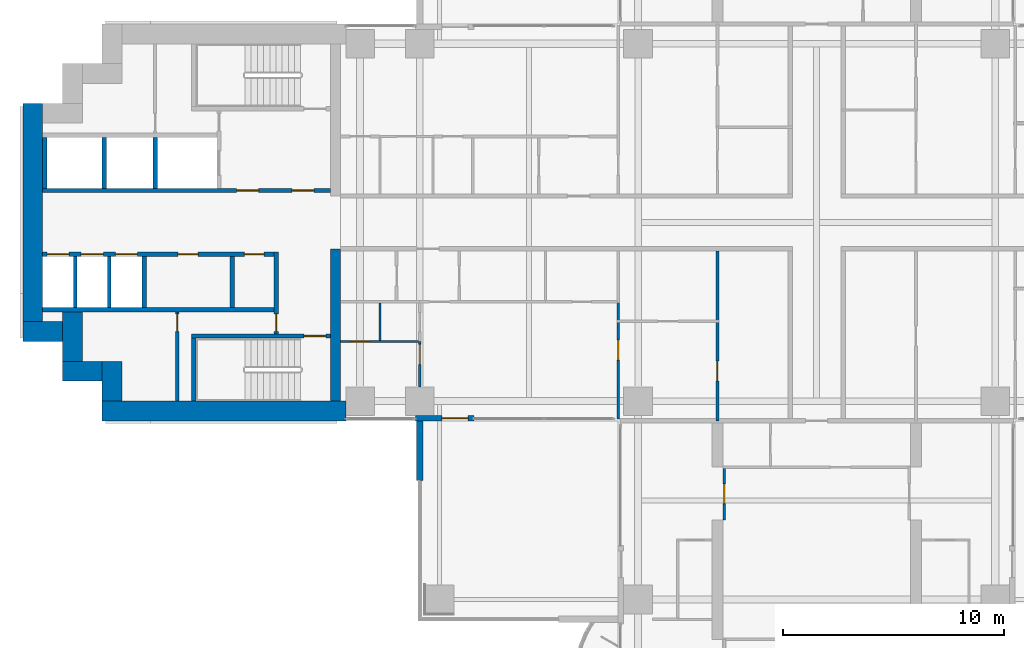
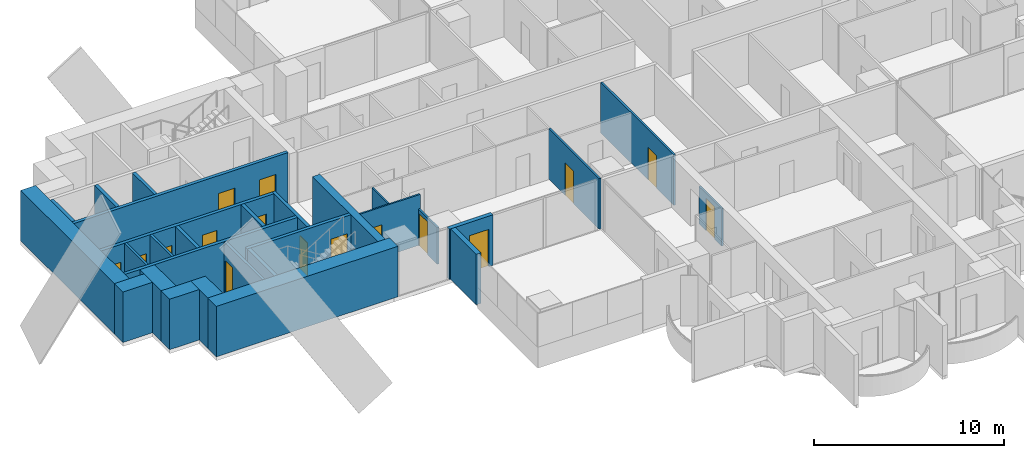
# One storey, part 11 of 23: 29 walls, 16 doors, 16 openings.
"""IFC4 building model written with IfcOpenShell, lengths in metres."""

from ifc_helpers import new_model, si_unit, direction, frame, frame_2d, origin, place, context, subcontext, project, spatial, rectangle, extrude, material, layer, layer_set, type_object, element, fill, save


model = new_model("IFC4")

# Units and contexts
model_context = context("Model", 3, precision=1e-05, world=origin(), true_north=direction((0.0, 1.0)))
body_context = subcontext(model_context, "Body", "Model", "MODEL_VIEW")
ifc_project = project(units=[si_unit("LENGTHUNIT", "METRE"), si_unit("AREAUNIT", "SQUARE_METRE"), si_unit("VOLUMEUNIT", "CUBIC_METRE"), si_unit("PLANEANGLEUNIT", "RADIAN"), si_unit("MASSUNIT", "GRAM", prefix="KILO")], contexts=[model_context])

# Site, building, storey
site_placement = place(None, origin())
site = spatial("IfcSite", under=ifc_project, at=site_placement, CompositionType="ELEMENT")
building_placement = place(site_placement, origin())
building = spatial("IfcBuilding", under=site, at=building_placement, Name="Perihelion Cross Residences", CompositionType="ELEMENT")
storey_placement = place(building_placement, frame((0.0, 0.0, 61.0)))
storey = spatial("IfcBuildingStorey", under=building, at=storey_placement, Name="L12", CompositionType="ELEMENT", Elevation=61.0)

# Wall, opening, door
ifc_material_1 = material(Name="Concrete C30/37, bronze-clad", Category="concrete")
ifc_layer_1 = layer(ifc_material_1, 0.25)
ifc_layer_set_1 = layer_set([ifc_layer_1], Name="Bronze-clad pier wall 250")
wall_type_1 = type_object("IfcWallType", Name="Bronze-clad pier wall 250", PredefinedType="SOLIDWALL", material=ifc_layer_set_1)
wall_1_placement = place(storey_placement, frame((-18.199951171875, -8.875, 0.0), z_axis=(0.0, 0.0, 1.0), x_axis=(1.0, 0.0, 0.0)))
wall_1 = element("IfcWall", 1, at=wall_1_placement, inside=storey, type_object=wall_type_1, Name="Wall FW1 L12 west side south bay 2 pier", PredefinedType="SOLIDWALL", context=body_context, shape_type="SweptSolid", body=[
    extrude(rectangle(XDim=2.64990234375, YDim=0.25, at=frame_2d((1.324951171875, 0.0))), origin(), (0.0, 0.0, 1.0), 3.25),
])
opening_1_placement = place(wall_1_placement, frame((1.199951171875, 0.0, 0.0)))
opening_1 = element("IfcOpeningElement", 2, at=opening_1_placement, cuts=wall_1, Name="Opening L12.E09", PredefinedType="OPENING", context=body_context, shape_type="SweptSolid", body=[
    extrude(rectangle(XDim=1.199951171875, YDim=2.39990234375, at=frame_2d((0.60009765625, 1.199951171875))), frame((0.0, 0.135009765625, 0.0), z_axis=(0.0, -1.0, 0.0), x_axis=(1.0, 0.0, 0.0)), (0.0, 0.0, 1.0), 0.27001953125),
])
ifc_material_2 = material(Name="Bronze anodised aluminium, glazed", Category="aluminium")
door_type_1 = type_object("IfcDoorType", Name="Balcony door 1200 x 2400", OperationType="NOTDEFINED", PredefinedType="DOOR", material=ifc_material_2)
door_1_placement = place(opening_1_placement, origin())
door_1 = element("IfcDoor", 3, at=door_1_placement, inside=storey, type_object=door_type_1, Name="Door L12.E09 west side south bay 2", OperationType="SINGLE_SWING_RIGHT", OverallHeight=2.39990234375, OverallWidth=1.199951171875, PredefinedType="DOOR", context=body_context, shape_type="SweptSolid", body=[
    extrude(rectangle(XDim=1.199951171875, YDim=2.39990234375, at=frame_2d((0.60009765625, 1.199951171875))), frame((0.0, 0.02490234375, 0.0), z_axis=(0.0, -1.0, 0.0), x_axis=(1.0, 0.0, 0.0)), (0.0, 0.0, 1.0), 0.050048828125),
])
fill(opening_1, door_1)

# Walls
ifc_material_3 = material(Name="Concrete C60/75", Category="concrete")
ifc_layer_2 = layer(ifc_material_3, 0.449951171875)
ifc_layer_set_2 = layer_set([ifc_layer_2], Name="Core wall, inner 450")
wall_type_2 = type_object("IfcWallType", Name="Core wall, inner 450", PredefinedType="SHEAR", material=ifc_layer_set_2)
wall_2_placement = place(storey_placement, frame((-21.824951171875, -8.10009765625, 0.0), z_axis=(0.0, 0.0, 1.0), x_axis=(0.0, 1.0, 0.0)))
element("IfcWall", 4, at=wall_2_placement, inside=storey, type_object=wall_type_2, Name="West core core wall, inner", PredefinedType="SHEAR", context=body_context, shape_type="SweptSolid", body=[
    extrude(rectangle(XDim=6.900146484375, YDim=0.449951171875, at=frame_2d((3.4501953125, 0.0))), origin(), (0.0, 0.0, 1.0), 3.25),
])
ifc_material_4 = material(Name="Concrete C60/75", Category="concrete")
ifc_layer_3 = layer(ifc_material_4, 0.89990234375)
ifc_layer_set_3 = layer_set([ifc_layer_3], Name="Core wall, outer 900")
wall_type_3 = type_object("IfcWallType", Name="Core wall, outer 900", PredefinedType="SHEAR", material=ifc_layer_set_3)
wall_3_placement = place(storey_placement, frame((-32.39990234375, -8.550048828125, 0.0), z_axis=(0.0, 0.0, 1.0), x_axis=(1.0, 0.0, 0.0)))
element("IfcWall", 5, at=wall_3_placement, inside=storey, type_object=wall_type_3, Name="West core core wall, outer", PredefinedType="SHEAR", context=body_context, shape_type="SweptSolid", body=[
    extrude(rectangle(XDim=11.0498046875, YDim=0.89990234375, at=frame_2d((5.52490234375, 0.0))), origin(), (0.0, 0.0, 1.0), 3.25),
])
for number, where, z_axis, x_axis, name in (
    (6, (-31.949951171875, -8.10009765625, 0.0), (0.0, 0.0, 1.0), (0.0, 1.0, 0.0), "West core core wall, outer"),
    (7, (-34.199951171875, -6.75, 0.0), (0.0, 0.0, 1.0), (1.0, 0.0, 0.0), "West core core wall, outer"),
):
    element("IfcWall", number, at=place(storey_placement, frame(where, z_axis=z_axis, x_axis=x_axis)), inside=storey, type_object=wall_type_3, Name=name, PredefinedType="SHEAR", context=body_context, shape_type="SweptSolid", body=[
        extrude(rectangle(XDim=1.800048828125, YDim=0.89990234375, at=frame_2d((0.89990234375, 0.0))), origin(), (0.0, 0.0, 1.0), 3.25),
    ])
wall_4_placement = place(storey_placement, frame((-33.75, -6.300048828125, 0.0), z_axis=(0.0, 0.0, 1.0), x_axis=(0.0, 1.0, 0.0)))
element("IfcWall", 8, at=wall_4_placement, inside=storey, type_object=wall_type_3, Name="West core core wall, outer", PredefinedType="SHEAR", context=body_context, shape_type="SweptSolid", body=[
    extrude(rectangle(XDim=2.25, YDim=0.89990234375, at=frame_2d((1.125, 0.0))), origin(), (0.0, 0.0, 1.0), 3.25),
])
wall_5_placement = place(storey_placement, frame((-36.0, -4.949951171875, 0.0), z_axis=(0.0, 0.0, 1.0), x_axis=(1.0, 0.0, 0.0)))
element("IfcWall", 9, at=wall_5_placement, inside=storey, type_object=wall_type_3, Name="West core core wall, outer", PredefinedType="SHEAR", context=body_context, shape_type="SweptSolid", body=[
    extrude(rectangle(XDim=1.800048828125, YDim=0.89990234375, at=frame_2d((0.89990234375, 0.0))), origin(), (0.0, 0.0, 1.0), 3.25),
])
wall_6_placement = place(storey_placement, frame((-35.550048828125, -4.5, 0.0), z_axis=(0.0, 0.0, 1.0), x_axis=(0.0, 1.0, 0.0)))
element("IfcWall", 10, at=wall_6_placement, inside=storey, type_object=wall_type_3, Name="West core core wall, outer", PredefinedType="SHEAR", context=body_context, shape_type="SweptSolid", body=[
    extrude(rectangle(XDim=9.89990234375, YDim=0.89990234375, at=frame_2d((4.949951171875, 0.0))), origin(), (0.0, 0.0, 1.0), 3.25),
])

# Wall, opening, door
ifc_material_5 = material(Name="Plasterboard partition")
ifc_layer_4 = layer(ifc_material_5, 0.1201171875)
ifc_layer_set_4 = layer_set([ifc_layer_4], Name="Infill panel 120")
wall_type_4 = type_object("IfcWallType", Name="Infill panel 120", PredefinedType="PARTITIONING", material=ifc_layer_set_4)
wall_7_placement = place(storey_placement, frame((-4.18994140625, -11.10009765625, 0.0), z_axis=(0.0, 0.0, 1.0), x_axis=(0.0, -1.0, 0.0)))
wall_7 = element("IfcWall", 11, at=wall_7_placement, inside=storey, type_object=wall_type_4, Name="Partition L12 WI07", PredefinedType="PARTITIONING", context=body_context, shape_type="SweptSolid", body=[
    extrude(rectangle(XDim=2.39990234375, YDim=0.1201171875, at=frame_2d((1.199951171875, 0.0))), origin(), (0.0, 0.0, 1.0), 2.39990234375),
])
opening_2_placement = place(wall_7_placement, frame((0.75, 0.0, 0.0)))
opening_2 = element("IfcOpeningElement", 12, at=opening_2_placement, cuts=wall_7, Name="Opening L12.A63", PredefinedType="OPENING", context=body_context, shape_type="SweptSolid", body=[
    extrude(rectangle(XDim=0.89990234375, YDim=2.10009765625, at=frame_2d((0.449951171875, 1.050048828125))), frame((0.0, 0.070068359375, 0.0), z_axis=(0.0, -1.0, 0.0), x_axis=(1.0, 0.0, 0.0)), (0.0, 0.0, 1.0), 0.14013671875),
])
ifc_material_6 = material(Name="Timber door leaf", Category="wood")
door_type_2 = type_object("IfcDoorType", Name="Interior room door 900 x 2100", OperationType="SINGLE_SWING_LEFT", PredefinedType="DOOR", material=ifc_material_6)
door_2_placement = place(opening_2_placement, origin())
door_2 = element("IfcDoor", 13, at=door_2_placement, inside=storey, type_object=door_type_2, Name="Door L12.A63", OperationType="SINGLE_SWING_LEFT", OverallHeight=2.10009765625, OverallWidth=0.89990234375, PredefinedType="DOOR", context=body_context, shape_type="SweptSolid", body=[
    extrude(rectangle(XDim=0.89990234375, YDim=2.10009765625, at=frame_2d((0.449951171875, 1.050048828125))), frame((0.0, 0.02490234375, 0.0), z_axis=(0.0, -1.0, 0.0), x_axis=(1.0, 0.0, 0.0)), (0.0, 0.0, 1.0), 0.050048828125),
])
fill(opening_2, door_2)

ifc_material_7 = material(Name="Concrete C50/60", Category="concrete")
ifc_layer_5 = layer(ifc_material_7, 0.199951171875)
ifc_layer_set_5 = layer_set([ifc_layer_5], Name="Lobby wall 200")
wall_type_5 = type_object("IfcWallType", Name="Lobby wall 200", PredefinedType="SOLIDWALL", material=ifc_layer_set_5)
wall_8_placement = place(storey_placement, frame((-24.5, -5.050048828125, 0.0), z_axis=(0.0, 0.0, 1.0), x_axis=(0.0, 1.0, 0.0)))
wall_8 = element("IfcWall", 14, at=wall_8_placement, inside=storey, type_object=wall_type_5, Name="West core lobby wall", PredefinedType="SOLIDWALL", context=body_context, shape_type="SweptSolid", body=[
    extrude(rectangle(XDim=3.699951171875, YDim=0.199951171875, at=frame_2d((1.85009765625, 0.0))), origin(), (0.0, 0.0, 1.0), 3.25),
])
opening_3_placement = place(wall_8_placement, frame((0.10009765625, 0.0, 0.0)))
opening_3 = element("IfcOpeningElement", 15, at=opening_3_placement, cuts=wall_8, Name="Opening L12.C22", PredefinedType="OPENING", context=body_context, shape_type="SweptSolid", body=[
    extrude(rectangle(XDim=0.800048828125, YDim=2.10009765625, at=frame_2d((0.39990234375, 1.050048828125))), frame((0.0, 0.10986328125, 0.0), z_axis=(0.0, -1.0, 0.0), x_axis=(1.0, 0.0, 0.0)), (0.0, 0.0, 1.0), 0.219970703125),
])
ifc_material_8 = material(Name="Steel, powder coated", Category="steel")
door_type_3 = type_object("IfcDoorType", Name="Riser door 800", OperationType="SINGLE_SWING_LEFT", PredefinedType="DOOR", material=ifc_material_8)
door_3_placement = place(opening_3_placement, origin())
door_3 = element("IfcDoor", 16, at=door_3_placement, inside=storey, type_object=door_type_3, Name="West core riser door", OperationType="SINGLE_SWING_LEFT", OverallHeight=2.10009765625, OverallWidth=0.800048828125, PredefinedType="DOOR", context=body_context, shape_type="SweptSolid", body=[
    extrude(rectangle(XDim=0.800048828125, YDim=2.10009765625, at=frame_2d((0.39990234375, 1.050048828125))), frame((0.0, 0.02490234375, 0.0), z_axis=(0.0, -1.0, 0.0), x_axis=(1.0, 0.0, 0.0)), (0.0, 0.0, 1.0), 0.050048828125),
])
fill(opening_3, door_3)

ifc_material_9 = material(Name="Plasterboard partition")
ifc_layer_6 = layer(ifc_material_9, 0.1201171875)
ifc_layer_set_6 = layer_set([ifc_layer_6], Name="Partition wall 120")
wall_type_6 = type_object("IfcWallType", Name="Partition wall 120", PredefinedType="PARTITIONING", material=ifc_layer_set_6)
wall_9_placement = place(storey_placement, frame((-18.0, -7.449951171875, 0.0), z_axis=(0.0, 0.0, 1.0), x_axis=(0.0, 1.0, 0.0)))
wall_9 = element("IfcWall", 17, at=wall_9_placement, inside=storey, type_object=wall_type_6, Name="Partition L12 W054", PredefinedType="PARTITIONING", context=body_context, shape_type="SweptSolid", body=[
    extrude(rectangle(XDim=2.050048828125, YDim=0.1201171875, at=frame_2d((1.02490234375, 0.0))), origin(), (0.0, 0.0, 1.0), 2.345947265625),
])
opening_4_placement = place(wall_9_placement, frame((1.02001953125, 0.0, 0.0)))
opening_4 = element("IfcOpeningElement", 18, at=opening_4_placement, cuts=wall_9, Name="Opening L12.A26", PredefinedType="OPENING", context=body_context, shape_type="SweptSolid", body=[
    extrude(rectangle(XDim=0.89990234375, YDim=2.10009765625, at=frame_2d((0.449951171875, 1.050048828125))), frame((0.0, 0.070068359375, 0.0), z_axis=(0.0, -1.0, 0.0), x_axis=(1.0, 0.0, 0.0)), (0.0, 0.0, 1.0), 0.14013671875),
])
door_4_placement = place(opening_4_placement, origin())
door_4 = element("IfcDoor", 19, at=door_4_placement, inside=storey, type_object=door_type_2, Name="Door L12.A26", OperationType="SINGLE_SWING_RIGHT", OverallHeight=2.10009765625, OverallWidth=0.89990234375, PredefinedType="DOOR", context=body_context, shape_type="SweptSolid", body=[
    extrude(rectangle(XDim=0.89990234375, YDim=2.10009765625, at=frame_2d((0.449951171875, 1.050048828125))), frame((0.0, 0.02490234375, 0.0), z_axis=(0.0, -1.0, 0.0), x_axis=(1.0, 0.0, 0.0)), (0.0, 0.0, 1.0), 0.050048828125),
])
fill(opening_4, door_4)

wall_10_placement = place(storey_placement, frame((-9.0, -3.60009765625, 0.0), z_axis=(0.0, 0.0, 1.0), x_axis=(0.0, -1.0, 0.0)))
wall_10 = element("IfcWall", 20, at=wall_10_placement, inside=storey, type_object=wall_type_6, Name="Partition L12 W055", PredefinedType="PARTITIONING", context=body_context, shape_type="SweptSolid", body=[
    extrude(rectangle(XDim=5.31982421875, YDim=0.1201171875, at=frame_2d((2.659912109375, 0.0))), origin(), (0.0, 0.0, 1.0), 3.25),
])
opening_5_placement = place(wall_10_placement, frame((1.738037109375, 0.0, 0.0)))
opening_5 = element("IfcOpeningElement", 21, at=opening_5_placement, cuts=wall_10, Name="Opening L12.A35", PredefinedType="OPENING", context=body_context, shape_type="SweptSolid", body=[
    extrude(rectangle(XDim=0.89990234375, YDim=2.10009765625, at=frame_2d((0.449951171875, 1.050048828125))), frame((0.0, 0.070068359375, 0.0), z_axis=(0.0, -1.0, 0.0), x_axis=(1.0, 0.0, 0.0)), (0.0, 0.0, 1.0), 0.14013671875),
])
door_5_placement = place(opening_5_placement, origin())
door_5 = element("IfcDoor", 22, at=door_5_placement, inside=storey, type_object=door_type_2, Name="Door L12.A35", OperationType="SINGLE_SWING_RIGHT", OverallHeight=2.10009765625, OverallWidth=0.89990234375, PredefinedType="DOOR", context=body_context, shape_type="SweptSolid", body=[
    extrude(rectangle(XDim=0.89990234375, YDim=2.10009765625, at=frame_2d((0.449951171875, 1.050048828125))), frame((0.0, 0.02490234375, 0.0), z_axis=(0.0, -1.0, 0.0), x_axis=(1.0, 0.0, 0.0)), (0.0, 0.0, 1.0), 0.050048828125),
])
fill(opening_5, door_5)

wall_11_placement = place(storey_placement, frame((-4.5, -1.300048828125, 0.0), z_axis=(0.0, 0.0, 1.0), x_axis=(0.0, -1.0, 0.0)))
wall_11 = element("IfcWall", 23, at=wall_11_placement, inside=storey, type_object=wall_type_6, Name="Partition L12 W059", PredefinedType="PARTITIONING", context=body_context, shape_type="SweptSolid", body=[
    extrude(rectangle(XDim=7.699951171875, YDim=0.1201171875, at=frame_2d((3.85009765625, 0.0))), origin(), (0.0, 0.0, 1.0), 3.25),
])
opening_6_placement = place(wall_11_placement, frame((4.988037109375, 0.0, 0.0)))
opening_6 = element("IfcOpeningElement", 24, at=opening_6_placement, cuts=wall_11, Name="Opening L12.A34", PredefinedType="OPENING", context=body_context, shape_type="SweptSolid", body=[
    extrude(rectangle(XDim=0.89990234375, YDim=2.10009765625, at=frame_2d((0.449951171875, 1.050048828125))), frame((0.0, 0.070068359375, 0.0), z_axis=(0.0, -1.0, 0.0), x_axis=(1.0, 0.0, 0.0)), (0.0, 0.0, 1.0), 0.14013671875),
])
door_6_placement = place(opening_6_placement, origin())
door_6 = element("IfcDoor", 25, at=door_6_placement, inside=storey, type_object=door_type_2, Name="Door L12.A34", OperationType="SINGLE_SWING_LEFT", OverallHeight=2.10009765625, OverallWidth=0.89990234375, PredefinedType="DOOR", context=body_context, shape_type="SweptSolid", body=[
    extrude(rectangle(XDim=0.89990234375, YDim=2.10009765625, at=frame_2d((0.449951171875, 1.050048828125))), frame((0.0, 0.02490234375, 0.0), z_axis=(0.0, -1.0, 0.0), x_axis=(1.0, 0.0, 0.0)), (0.0, 0.0, 1.0), 0.050048828125),
])
fill(opening_6, door_6)

# Wall
ifc_material_10 = material(Name="Precast concrete C50/60", Category="concrete")
ifc_layer_7 = layer(ifc_material_10, 0.300048828125)
ifc_layer_set_7 = layer_set([ifc_layer_7], Name="Precast concrete C50/60 blade wall 300")
wall_type_7 = type_object("IfcWallType", Name="Precast concrete C50/60 blade wall 300", PredefinedType="SOLIDWALL", material=ifc_layer_set_7)
wall_12_placement = place(storey_placement, frame((-18.0, -8.75, 0.0), z_axis=(0.0, 0.0, 1.0), x_axis=(0.0, -1.0, 0.0)))
element("IfcWall", 26, at=wall_12_placement, inside=storey, type_object=wall_type_7, Name="Wall BL1 L12 no. 1", PredefinedType="SOLIDWALL", context=body_context, shape_type="SweptSolid", body=[
    extrude(rectangle(XDim=2.949951171875, YDim=0.300048828125, at=frame_2d((1.47509765625, 0.0))), origin(), (0.0, 0.0, 1.0), 3.25),
])

# Wall, opening, door
ifc_material_11 = material(Name="Fire-rated board on steel stud", Category="steel")
ifc_layer_8 = layer(ifc_material_11, 0.14990234375)
ifc_layer_set_8 = layer_set([ifc_layer_8], Name="Riser wall 150")
wall_type_8 = type_object("IfcWallType", Name="Riser wall 150", PredefinedType="PARTITIONING", material=ifc_layer_set_8)
wall_13_placement = place(storey_placement, frame((-29.0, -8.10009765625, 0.0), z_axis=(0.0, 0.0, 1.0), x_axis=(0.0, 1.0, 0.0)))
wall_13 = element("IfcWall", 27, at=wall_13_placement, inside=storey, type_object=wall_type_8, Name="West core riser wall", PredefinedType="PARTITIONING", context=body_context, shape_type="SweptSolid", body=[
    extrude(rectangle(XDim=4.050048828125, YDim=0.14990234375, at=frame_2d((2.02490234375, 0.0))), origin(), (0.0, 0.0, 1.0), 3.25),
])
opening_7_placement = place(wall_13_placement, frame((3.14990234375, 0.0, 0.0)))
opening_7 = element("IfcOpeningElement", 28, at=opening_7_placement, cuts=wall_13, Name="Opening L12.C27", PredefinedType="OPENING", context=body_context, shape_type="SweptSolid", body=[
    extrude(rectangle(XDim=0.800048828125, YDim=2.10009765625, at=frame_2d((0.39990234375, 1.050048828125))), frame((0.0, 0.0849609375, 0.0), z_axis=(0.0, -1.0, 0.0), x_axis=(1.0, 0.0, 0.0)), (0.0, 0.0, 1.0), 0.169921875),
])
door_7_placement = place(opening_7_placement, origin())
door_7 = element("IfcDoor", 29, at=door_7_placement, inside=storey, type_object=door_type_3, Name="West core riser door", OperationType="SINGLE_SWING_LEFT", OverallHeight=2.10009765625, OverallWidth=0.800048828125, PredefinedType="DOOR", context=body_context, shape_type="SweptSolid", body=[
    extrude(rectangle(XDim=0.800048828125, YDim=2.10009765625, at=frame_2d((0.39990234375, 1.050048828125))), frame((0.0, 0.02490234375, 0.0), z_axis=(0.0, -1.0, 0.0), x_axis=(1.0, 0.0, 0.0)), (0.0, 0.0, 1.0), 0.050048828125),
])
fill(opening_7, door_7)

# Walls
ifc_material_12 = material(Name="Fire-rated board on steel stud", Category="steel")
ifc_layer_9 = layer(ifc_material_12, 0.199951171875)
ifc_layer_set_9 = layer_set([ifc_layer_9], Name="Riser wall 200")
wall_type_9 = type_object("IfcWallType", Name="Riser wall 200", PredefinedType="PARTITIONING", material=ifc_layer_set_9)
wall_14_placement = place(storey_placement, frame((-26.5, -3.85009765625, 0.0), z_axis=(0.0, 0.0, 1.0), x_axis=(0.0, 1.0, 0.0)))
element("IfcWall", 30, at=wall_14_placement, inside=storey, type_object=wall_type_9, Name="West core riser wall", PredefinedType="PARTITIONING", context=body_context, shape_type="SweptSolid", body=[
    extrude(rectangle(XDim=2.300048828125, YDim=0.199951171875, at=frame_2d((1.14990234375, 0.0))), origin(), (0.0, 0.0, 1.0), 3.25),
])
ifc_material_13 = material(Name="Concrete C50/60", Category="concrete")
ifc_layer_10 = layer(ifc_material_13, 0.14990234375)
ifc_layer_set_10 = layer_set([ifc_layer_10], Name="Shaft wall 150")
wall_type_10 = type_object("IfcWallType", Name="Shaft wall 150", PredefinedType="SOLIDWALL", material=ifc_layer_set_10)
for number, where, z_axis, x_axis, name in (
    (31, (-32.074951171875, -3.85009765625, 0.0), (0.0, 0.0, 1.0), (0.0, 1.0, 0.0), "West core shaft wall"),
    (32, (-33.625, -3.85009765625, 0.0), (0.0, 0.0, 1.0), (0.0, 1.0, 0.0), "West core shaft wall"),
):
    element("IfcWall", number, at=place(storey_placement, frame(where, z_axis=z_axis, x_axis=x_axis)), inside=storey, type_object=wall_type_10, Name=name, PredefinedType="SOLIDWALL", context=body_context, shape_type="SweptSolid", body=[
        extrude(rectangle(XDim=2.300048828125, YDim=0.14990234375, at=frame_2d((1.14990234375, 0.0))), origin(), (0.0, 0.0, 1.0), 3.25),
    ])

# Wall, openings, doors
ifc_material_14 = material(Name="Concrete C50/60", Category="concrete")
ifc_layer_11 = layer(ifc_material_14, 0.199951171875)
ifc_layer_set_11 = layer_set([ifc_layer_11], Name="Shaft wall 200")
wall_type_11 = type_object("IfcWallType", Name="Shaft wall 200", PredefinedType="SOLIDWALL", material=ifc_layer_set_11)
wall_15_placement = place(storey_placement, frame((-35.10009765625, 1.449951171875, 0.0), z_axis=(0.0, 0.0, 1.0), x_axis=(1.0, 0.0, 0.0)))
wall_15 = element("IfcWall", 33, at=wall_15_placement, inside=storey, type_object=wall_type_11, Name="West core shaft wall", PredefinedType="SOLIDWALL", context=body_context, shape_type="SweptSolid", body=[
    extrude(rectangle(XDim=13.050048828125, YDim=0.199951171875, at=frame_2d((6.52490234375, 0.0))), origin(), (0.0, 0.0, 1.0), 3.25),
])
opening_8_placement = place(wall_15_placement, frame((11.300048828125, 0.0, 0.0)))
opening_8 = element("IfcOpeningElement", 34, at=opening_8_placement, cuts=wall_15, Name="Opening L12.C21", PredefinedType="OPENING", context=body_context, shape_type="SweptSolid", body=[
    extrude(rectangle(XDim=1.0, YDim=2.10009765625, at=frame_2d((0.5, 1.050048828125))), frame((0.0, 0.10986328125, 0.0), z_axis=(0.0, -1.0, 0.0), x_axis=(1.0, 0.0, 0.0)), (0.0, 0.0, 1.0), 0.219970703125),
])
opening_9_placement = place(wall_15_placement, frame((8.800048828125, 0.0, 0.0)))
opening_9 = element("IfcOpeningElement", 35, at=opening_9_placement, cuts=wall_15, Name="Opening L12.C24", PredefinedType="OPENING", context=body_context, shape_type="SweptSolid", body=[
    extrude(rectangle(XDim=1.0, YDim=2.10009765625, at=frame_2d((0.5, 1.050048828125))), frame((0.0, 0.10986328125, 0.0), z_axis=(0.0, -1.0, 0.0), x_axis=(1.0, 0.0, 0.0)), (0.0, 0.0, 1.0), 0.219970703125),
])
ifc_material_15 = material(Name="Steel, powder coated", Category="steel")
door_type_4 = type_object("IfcDoorType", Name="Lobby door 1000", OperationType="SINGLE_SWING_LEFT", PredefinedType="DOOR", material=ifc_material_15)
door_8_placement = place(opening_8_placement, origin())
door_8 = element("IfcDoor", 36, at=door_8_placement, inside=storey, type_object=door_type_4, Name="West core firefighting lobby door", OperationType="SINGLE_SWING_LEFT", OverallHeight=2.10009765625, OverallWidth=1.0, PredefinedType="DOOR", context=body_context, shape_type="SweptSolid", body=[
    extrude(rectangle(XDim=1.0, YDim=2.10009765625, at=frame_2d((0.5, 1.050048828125))), frame((0.0, 0.02490234375, 0.0), z_axis=(0.0, -1.0, 0.0), x_axis=(1.0, 0.0, 0.0)), (0.0, 0.0, 1.0), 0.050048828125),
])
fill(opening_8, door_8)
door_9_placement = place(opening_9_placement, origin())
door_9 = element("IfcDoor", 37, at=door_9_placement, inside=storey, type_object=door_type_4, Name="West core firefighting lobby door", OperationType="SINGLE_SWING_LEFT", OverallHeight=2.10009765625, OverallWidth=1.0, PredefinedType="DOOR", context=body_context, shape_type="SweptSolid", body=[
    extrude(rectangle(XDim=1.0, YDim=2.10009765625, at=frame_2d((0.5, 1.050048828125))), frame((0.0, 0.02490234375, 0.0), z_axis=(0.0, -1.0, 0.0), x_axis=(1.0, 0.0, 0.0)), (0.0, 0.0, 1.0), 0.050048828125),
])
fill(opening_9, door_9)

wall_16_placement = place(storey_placement, frame((-35.10009765625, -1.449951171875, 0.0), z_axis=(0.0, 0.0, 1.0), x_axis=(1.0, 0.0, 0.0)))
wall_16 = element("IfcWall", 38, at=wall_16_placement, inside=storey, type_object=wall_type_11, Name="West core shaft wall", PredefinedType="SOLIDWALL", context=body_context, shape_type="SweptSolid", body=[
    extrude(rectangle(XDim=10.5, YDim=0.199951171875, at=frame_2d((5.25, 0.0))), origin(), (0.0, 0.0, 1.0), 3.25),
])
opening_10_placement = place(wall_16_placement, frame((3.300048828125, 0.0, 0.0)))
opening_10 = element("IfcOpeningElement", 39, at=opening_10_placement, cuts=wall_16, Name="Opening L12.C16", PredefinedType="OPENING", context=body_context, shape_type="SweptSolid", body=[
    extrude(rectangle(XDim=1.0, YDim=2.10009765625, at=frame_2d((0.5, 1.050048828125))), frame((0.0, 0.10986328125, 0.0), z_axis=(0.0, -1.0, 0.0), x_axis=(1.0, 0.0, 0.0)), (0.0, 0.0, 1.0), 0.219970703125),
])
opening_11_placement = place(wall_16_placement, frame((1.75, 0.0, 0.0)))
opening_11 = element("IfcOpeningElement", 40, at=opening_11_placement, cuts=wall_16, Name="Opening L12.C17", PredefinedType="OPENING", context=body_context, shape_type="SweptSolid", body=[
    extrude(rectangle(XDim=1.0, YDim=2.10009765625, at=frame_2d((0.5, 1.050048828125))), frame((0.0, 0.10986328125, 0.0), z_axis=(0.0, -1.0, 0.0), x_axis=(1.0, 0.0, 0.0)), (0.0, 0.0, 1.0), 0.219970703125),
])
opening_12_placement = place(wall_16_placement, frame((0.199951171875, 0.0, 0.0)))
opening_12 = element("IfcOpeningElement", 41, at=opening_12_placement, cuts=wall_16, Name="Opening L12.C18", PredefinedType="OPENING", context=body_context, shape_type="SweptSolid", body=[
    extrude(rectangle(XDim=1.0, YDim=2.10009765625, at=frame_2d((0.5, 1.050048828125))), frame((0.0, 0.10986328125, 0.0), z_axis=(0.0, -1.0, 0.0), x_axis=(1.0, 0.0, 0.0)), (0.0, 0.0, 1.0), 0.219970703125),
])
opening_13_placement = place(wall_16_placement, frame((9.14990234375, 0.0, 0.0)))
opening_13 = element("IfcOpeningElement", 42, at=opening_13_placement, cuts=wall_16, Name="Opening L12.C23", PredefinedType="OPENING", context=body_context, shape_type="SweptSolid", body=[
    extrude(rectangle(XDim=0.89990234375, YDim=2.10009765625, at=frame_2d((0.449951171875, 1.050048828125))), frame((0.0, 0.10986328125, 0.0), z_axis=(0.0, -1.0, 0.0), x_axis=(1.0, 0.0, 0.0)), (0.0, 0.0, 1.0), 0.219970703125),
])
opening_14_placement = place(wall_16_placement, frame((6.14990234375, 0.0, 0.0)))
opening_14 = element("IfcOpeningElement", 43, at=opening_14_placement, cuts=wall_16, Name="Opening L12.C26", PredefinedType="OPENING", context=body_context, shape_type="SweptSolid", body=[
    extrude(rectangle(XDim=0.89990234375, YDim=2.10009765625, at=frame_2d((0.449951171875, 1.050048828125))), frame((0.0, 0.10986328125, 0.0), z_axis=(0.0, -1.0, 0.0), x_axis=(1.0, 0.0, 0.0)), (0.0, 0.0, 1.0), 0.219970703125),
])
ifc_material_16 = material(Name="Stainless steel", Category="steel")
door_type_5 = type_object("IfcDoorType", Name="Landing door 1000", OperationType="DOUBLE_DOOR_SLIDING", PredefinedType="DOOR", material=ifc_material_16)
door_10_placement = place(opening_10_placement, origin())
door_10 = element("IfcDoor", 44, at=door_10_placement, inside=storey, type_object=door_type_5, Name="Landing door, West core low-rise lift 1", OperationType="DOUBLE_DOOR_SLIDING", OverallHeight=2.10009765625, OverallWidth=1.0, PredefinedType="DOOR", context=body_context, shape_type="SweptSolid", body=[
    extrude(rectangle(XDim=1.0, YDim=2.10009765625, at=frame_2d((0.5, 1.050048828125))), frame((0.0, 0.02490234375, 0.0), z_axis=(0.0, -1.0, 0.0), x_axis=(1.0, 0.0, 0.0)), (0.0, 0.0, 1.0), 0.050048828125),
])
fill(opening_10, door_10)
door_11_placement = place(opening_11_placement, origin())
door_11 = element("IfcDoor", 45, at=door_11_placement, inside=storey, type_object=door_type_5, Name="Landing door, West core low-rise lift 2", OperationType="DOUBLE_DOOR_SLIDING", OverallHeight=2.10009765625, OverallWidth=1.0, PredefinedType="DOOR", context=body_context, shape_type="SweptSolid", body=[
    extrude(rectangle(XDim=1.0, YDim=2.10009765625, at=frame_2d((0.5, 1.050048828125))), frame((0.0, 0.02490234375, 0.0), z_axis=(0.0, -1.0, 0.0), x_axis=(1.0, 0.0, 0.0)), (0.0, 0.0, 1.0), 0.050048828125),
])
fill(opening_11, door_11)
door_12_placement = place(opening_12_placement, origin())
door_12 = element("IfcDoor", 46, at=door_12_placement, inside=storey, type_object=door_type_5, Name="Landing door, West core low-rise lift 3", OperationType="DOUBLE_DOOR_SLIDING", OverallHeight=2.10009765625, OverallWidth=1.0, PredefinedType="DOOR", context=body_context, shape_type="SweptSolid", body=[
    extrude(rectangle(XDim=1.0, YDim=2.10009765625, at=frame_2d((0.5, 1.050048828125))), frame((0.0, 0.02490234375, 0.0), z_axis=(0.0, -1.0, 0.0), x_axis=(1.0, 0.0, 0.0)), (0.0, 0.0, 1.0), 0.050048828125),
])
fill(opening_12, door_12)
ifc_material_17 = material(Name="Steel, powder coated", Category="steel")
door_type_6 = type_object("IfcDoorType", Name="Service room door 900", OperationType="SINGLE_SWING_LEFT", PredefinedType="DOOR", material=ifc_material_17)
door_13_placement = place(opening_13_placement, origin())
door_13 = element("IfcDoor", 47, at=door_13_placement, inside=storey, type_object=door_type_6, Name="West core service room door", OperationType="SINGLE_SWING_LEFT", OverallHeight=2.10009765625, OverallWidth=0.89990234375, PredefinedType="DOOR", context=body_context, shape_type="SweptSolid", body=[
    extrude(rectangle(XDim=0.89990234375, YDim=2.10009765625, at=frame_2d((0.449951171875, 1.050048828125))), frame((0.0, 0.02490234375, 0.0), z_axis=(0.0, -1.0, 0.0), x_axis=(1.0, 0.0, 0.0)), (0.0, 0.0, 1.0), 0.050048828125),
])
fill(opening_13, door_13)
door_14_placement = place(opening_14_placement, origin())
door_14 = element("IfcDoor", 48, at=door_14_placement, inside=storey, type_object=door_type_6, Name="West core service room door", OperationType="SINGLE_SWING_LEFT", OverallHeight=2.10009765625, OverallWidth=0.89990234375, PredefinedType="DOOR", context=body_context, shape_type="SweptSolid", body=[
    extrude(rectangle(XDim=0.89990234375, YDim=2.10009765625, at=frame_2d((0.449951171875, 1.050048828125))), frame((0.0, 0.02490234375, 0.0), z_axis=(0.0, -1.0, 0.0), x_axis=(1.0, 0.0, 0.0)), (0.0, 0.0, 1.0), 0.050048828125),
])
fill(opening_14, door_14)

# Walls
wall_17_placement = place(storey_placement, frame((-35.10009765625, -3.949951171875, 0.0), z_axis=(0.0, 0.0, 1.0), x_axis=(1.0, 0.0, 0.0)))
element("IfcWall", 49, at=wall_17_placement, inside=storey, type_object=wall_type_11, Name="West core shaft wall", PredefinedType="SOLIDWALL", context=body_context, shape_type="SweptSolid", body=[
    extrude(rectangle(XDim=10.5, YDim=0.199951171875, at=frame_2d((5.25, 0.0))), origin(), (0.0, 0.0, 1.0), 3.25),
])
for number, where, z_axis, x_axis, name in (
    (50, (-30.0, 1.550048828125, 0.0), (0.0, 0.0, 1.0), (0.0, 1.0, 0.0), "West core shaft wall"),
    (51, (-32.300048828125, 1.550048828125, 0.0), (0.0, 0.0, 1.0), (0.0, 1.0, 0.0), "West core shaft wall"),
    (52, (-35.0, 1.550048828125, 0.0), (0.0, 0.0, 1.0), (0.0, 1.0, 0.0), "West core shaft wall"),
    (53, (-30.5, -3.85009765625, 0.0), (0.0, 0.0, 1.0), (0.0, 1.0, 0.0), "West core shaft wall"),
):
    element("IfcWall", number, at=place(storey_placement, frame(where, z_axis=z_axis, x_axis=x_axis)), inside=storey, type_object=wall_type_11, Name=name, PredefinedType="SOLIDWALL", context=body_context, shape_type="SweptSolid", body=[
        extrude(rectangle(XDim=2.300048828125, YDim=0.199951171875, at=frame_2d((1.14990234375, 0.0))), origin(), (0.0, 0.0, 1.0), 3.25),
    ])

# Wall, opening, door
ifc_material_18 = material(Name="Concrete C50/60", Category="concrete")
ifc_layer_12 = layer(ifc_material_18, 0.199951171875)
ifc_layer_set_12 = layer_set([ifc_layer_12], Name="Stair wall 200")
wall_type_12 = type_object("IfcWallType", Name="Stair wall 200", PredefinedType="SOLIDWALL", material=ifc_layer_set_12)
wall_18_placement = place(storey_placement, frame((-28.35009765625, -5.14990234375, 0.0), z_axis=(0.0, 0.0, 1.0), x_axis=(1.0, 0.0, 0.0)))
wall_18 = element("IfcWall", 54, at=wall_18_placement, inside=storey, type_object=wall_type_12, Name="West core stair wall", PredefinedType="SOLIDWALL", context=body_context, shape_type="SweptSolid", body=[
    extrude(rectangle(XDim=6.300048828125, YDim=0.199951171875, at=frame_2d((3.14990234375, 0.0))), origin(), (0.0, 0.0, 1.0), 3.25),
])
opening_15_placement = place(wall_18_placement, frame((5.10009765625, 0.0, 0.0)))
opening_15 = element("IfcOpeningElement", 55, at=opening_15_placement, cuts=wall_18, Name="Opening L12.C19", PredefinedType="OPENING", context=body_context, shape_type="SweptSolid", body=[
    extrude(rectangle(XDim=1.0, YDim=2.10009765625, at=frame_2d((0.5, 1.050048828125))), frame((0.0, 0.10986328125, 0.0), z_axis=(0.0, -1.0, 0.0), x_axis=(1.0, 0.0, 0.0)), (0.0, 0.0, 1.0), 0.219970703125),
])
ifc_material_19 = material(Name="Steel, powder coated", Category="steel")
door_type_7 = type_object("IfcDoorType", Name="Stair door 1000", OperationType="SINGLE_SWING_LEFT", PredefinedType="DOOR", material=ifc_material_19)
door_15_placement = place(opening_15_placement, origin())
door_15 = element("IfcDoor", 56, at=door_15_placement, inside=storey, type_object=door_type_7, Name="West core stair door", OperationType="SINGLE_SWING_LEFT", OverallHeight=2.10009765625, OverallWidth=1.0, PredefinedType="DOOR", context=body_context, shape_type="SweptSolid", body=[
    extrude(rectangle(XDim=1.0, YDim=2.10009765625, at=frame_2d((0.5, 1.050048828125))), frame((0.0, 0.02490234375, 0.0), z_axis=(0.0, -1.0, 0.0), x_axis=(1.0, 0.0, 0.0)), (0.0, 0.0, 1.0), 0.050048828125),
])
fill(opening_15, door_15)

# Walls
wall_19_placement = place(storey_placement, frame((-28.25, -8.10009765625, 0.0), z_axis=(0.0, 0.0, 1.0), x_axis=(0.0, 1.0, 0.0)))
element("IfcWall", 57, at=wall_19_placement, inside=storey, type_object=wall_type_12, Name="West core stair wall", PredefinedType="SOLIDWALL", context=body_context, shape_type="SweptSolid", body=[
    extrude(rectangle(XDim=2.85009765625, YDim=0.199951171875, at=frame_2d((1.425048828125, 0.0))), origin(), (0.0, 0.0, 1.0), 3.25),
])
ifc_material_20 = material(Name="Plasterboard partition")
ifc_layer_13 = layer(ifc_material_20, 0.10009765625)
ifc_layer_set_13 = layer_set([ifc_layer_13], Name="Wet room wall 100")
wall_type_13 = type_object("IfcWallType", Name="Wet room wall 100", PredefinedType="PARTITIONING", material=ifc_layer_set_13)
wall_20_placement = place(storey_placement, frame((-19.800048828125, -5.35009765625, 0.0), z_axis=(0.0, 0.0, 1.0), x_axis=(0.0, 1.0, 0.0)))
element("IfcWall", 58, at=wall_20_placement, inside=storey, type_object=wall_type_13, Name="Partition L12 W056", PredefinedType="PARTITIONING", context=body_context, shape_type="SweptSolid", body=[
    extrude(rectangle(XDim=1.7001953125, YDim=0.10009765625, at=frame_2d((0.85009765625, 0.0))), origin(), (0.0, 0.0, 1.0), 3.25),
])

# Wall, opening, door
wall_21_placement = place(storey_placement, frame((-17.93994140625, -5.39990234375, 0.0), z_axis=(0.0, 0.0, 1.0), x_axis=(-1.0, 0.0, 0.0)))
wall_21 = element("IfcWall", 59, at=wall_21_placement, inside=storey, type_object=wall_type_13, Name="Partition L12 W057", PredefinedType="PARTITIONING", context=body_context, shape_type="SweptSolid", body=[
    extrude(rectangle(XDim=3.66015625, YDim=0.10009765625, at=frame_2d((1.830078125, 0.0))), origin(), (0.0, 0.0, 1.0), 3.25),
])
opening_16_placement = place(wall_21_placement, frame((2.3349609375, 0.0, 0.0)))
opening_16 = element("IfcOpeningElement", 60, at=opening_16_placement, cuts=wall_21, Name="Opening L12.A28", PredefinedType="OPENING", context=body_context, shape_type="SweptSolid", body=[
    extrude(rectangle(XDim=0.85009765625, YDim=2.10009765625, at=frame_2d((0.425048828125, 1.050048828125))), frame((0.0, 0.06005859375, 0.0), z_axis=(0.0, -1.0, 0.0), x_axis=(1.0, 0.0, 0.0)), (0.0, 0.0, 1.0), 0.1201171875),
])
ifc_material_21 = material(Name="Timber door leaf", Category="wood")
door_type_8 = type_object("IfcDoorType", Name="Interior bathroom door 850 x 2100", OperationType="SINGLE_SWING_LEFT", PredefinedType="DOOR", material=ifc_material_21)
door_16_placement = place(opening_16_placement, origin())
door_16 = element("IfcDoor", 61, at=door_16_placement, inside=storey, type_object=door_type_8, Name="Door L12.A28", OperationType="SINGLE_SWING_RIGHT", OverallHeight=2.10009765625, OverallWidth=0.85009765625, PredefinedType="DOOR", context=body_context, shape_type="SweptSolid", body=[
    extrude(rectangle(XDim=0.85009765625, YDim=2.10009765625, at=frame_2d((0.425048828125, 1.050048828125))), frame((0.0, 0.02490234375, 0.0), z_axis=(0.0, -1.0, 0.0), x_axis=(1.0, 0.0, 0.0)), (0.0, 0.0, 1.0), 0.050048828125),
])
fill(opening_16, door_16)

save(model, "model.ifc")
